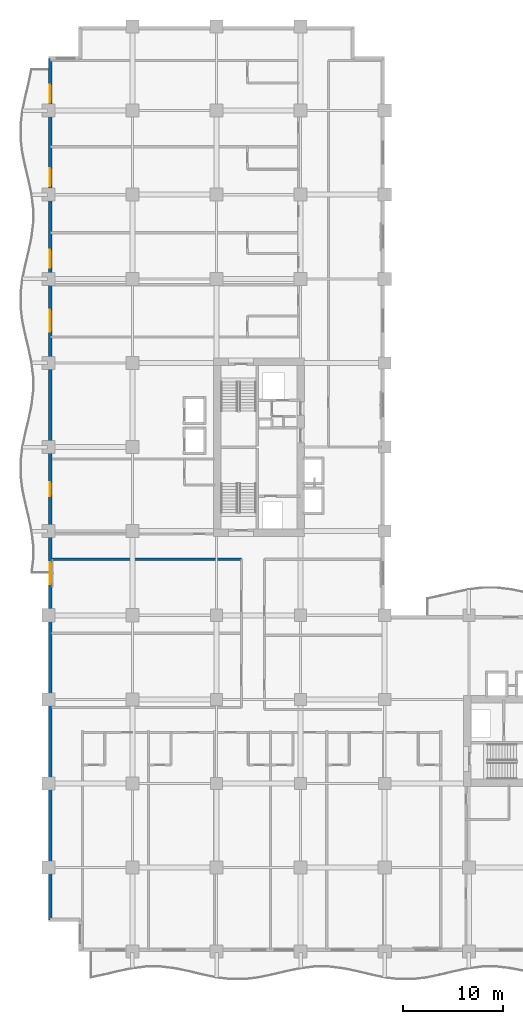
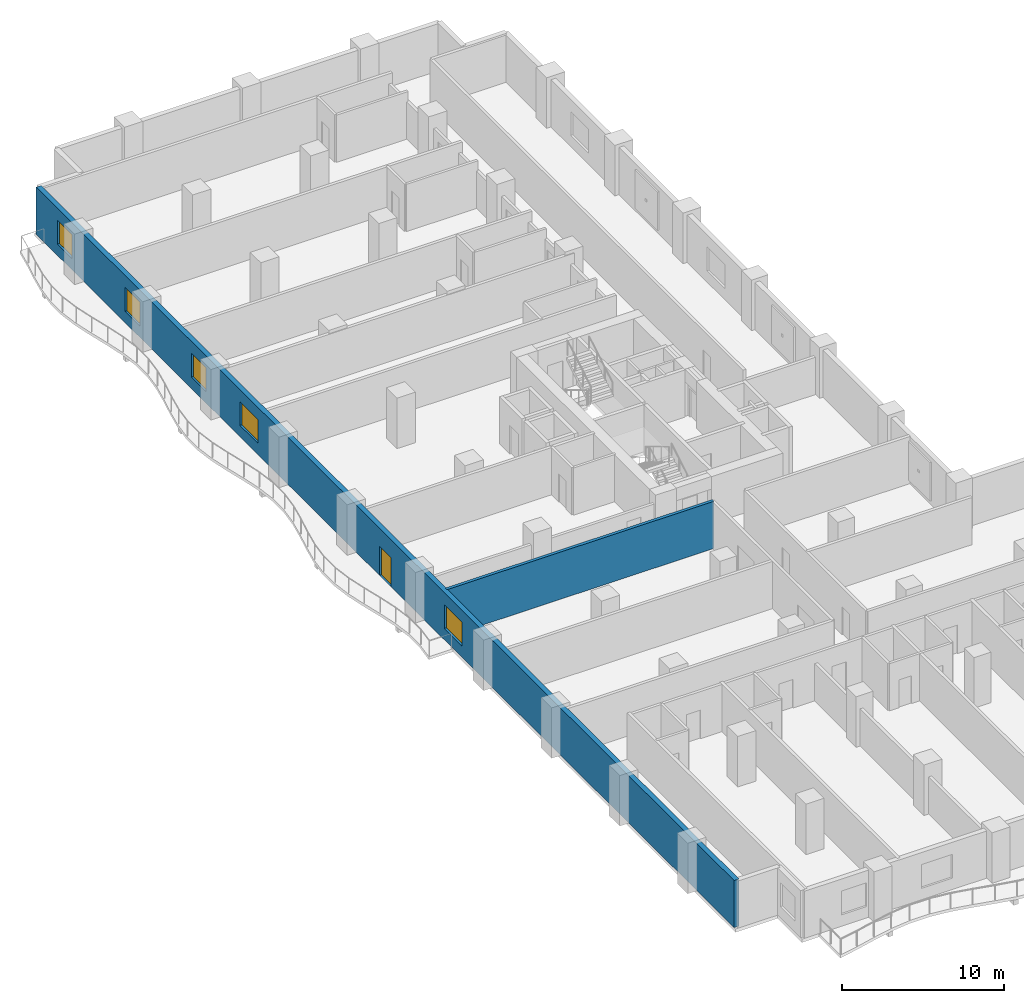
# One storey, part 6 of 17: 5 windows, 2 walls, 1 door, 6 openings.
"""IFC4 building model written with IfcOpenShell, lengths in metres."""

from ifc_helpers import new_model, si_unit, direction, frame, frame_2d, origin, place, context, subcontext, project, spatial, rectangle, extrude, material, layer, layer_set, type_object, element, fill, save


model = new_model("IFC4")

# Units and contexts
model_context = context("Model", 3, precision=1e-05, world=origin(), true_north=direction((0.0, 1.0)))
body_context = subcontext(model_context, "Body", "Model", "MODEL_VIEW")
ifc_project = project(units=[si_unit("LENGTHUNIT", "METRE"), si_unit("AREAUNIT", "SQUARE_METRE"), si_unit("VOLUMEUNIT", "CUBIC_METRE"), si_unit("PLANEANGLEUNIT", "RADIAN"), si_unit("MASSUNIT", "GRAM", prefix="KILO")], contexts=[model_context])

# Site, building, storey
site_placement = place(None, origin())
site = spatial("IfcSite", under=ifc_project, at=site_placement, CompositionType="ELEMENT")
building_placement = place(site_placement, origin())
building = spatial("IfcBuilding", under=site, at=building_placement, Name="Koriwani Terraces Tower", CompositionType="ELEMENT")
storey_placement = place(building_placement, frame((0.0, 0.0, 122.800048828125)))
storey = spatial("IfcBuildingStorey", under=building, at=storey_placement, Name="L29", CompositionType="ELEMENT", Elevation=122.800048828125)

# Wall
ifc_material_1 = material(Name="Autoclaved Cellular Concrete Blockwork", Category="masonry")
ifc_layer_1 = layer(ifc_material_1, 0.219970703125, Name="Autoclaved Cellular Concrete Blockwork")
ifc_layer_set_1 = layer_set([ifc_layer_1], Name="Autoclaved Cellular Concrete Blockwork")
wall_type_1 = type_object("IfcWallType", Name="WALL_DEMISING_220", PredefinedType="PARTITIONING", material=ifc_layer_set_1)
wall_1_placement = place(storey_placement, frame((0.300048828125, 39.199951171875, 0.0), z_axis=(0.0, 0.0, 1.0), x_axis=(1.0, 0.0, 0.0)))
element("IfcWall", 1, at=wall_1_placement, inside=storey, type_object=wall_type_1, Name="L29 Interior Wall WC2NWCLN-L29", PredefinedType="PARTITIONING", context=body_context, shape_type="SweptSolid", body=[
    extrude(rectangle(XDim=19.0, YDim=0.219970703125, at=frame_2d((9.5, 0.0))), origin(), (0.0, 0.0, 1.0), 3.550048828125),
])

# Wall, openings, door, windows
ifc_material_2 = material(Name="Concrete C50/60", Category="concrete")
ifc_layer_2 = layer(ifc_material_2, 0.35009765625, Name="Concrete C50/60")
ifc_layer_set_2 = layer_set([ifc_layer_2], Name="Concrete C50/60")
wall_type_2 = type_object("IfcWallType", Name="WALL_EXT_BRUTALIST_350", PredefinedType="STANDARD", material=ifc_layer_set_2)
wall_2_placement = place(storey_placement, frame((0.175048828125, 3.175048828125, 0.0), z_axis=(0.0, 0.0, 1.0), x_axis=(0.0, 1.0, 0.0)))
wall_2 = element("IfcWall", 2, at=wall_2_placement, inside=storey, type_object=wall_type_2, Name="L29 Fair-Faced Brutalist Exterior Wall (W)", PredefinedType="STANDARD", context=body_context, shape_type="SweptSolid", body=[
    extrude(rectangle(XDim=86.050048828125, YDim=0.35009765625, at=frame_2d((43.02490234375, 0.0))), origin(), (0.0, 0.0, 1.0), 3.550048828125),
])
opening_1_placement = place(wall_2_placement, frame((42.324951171875, 0.0, 0.0)))
opening_1 = element("IfcOpeningElement", 3, at=opening_1_placement, cuts=wall_2, Name="Opening D-09", PredefinedType="OPENING", context=body_context, shape_type="SweptSolid", body=[
    extrude(rectangle(XDim=1.39990234375, YDim=2.199951171875, at=frame_2d((0.699951171875, 1.10009765625))), frame((0.0, 0.18505859375, 0.0), z_axis=(0.0, -1.0, 0.0), x_axis=(1.0, 0.0, 0.0)), (0.0, 0.0, 1.0), 0.3701171875),
])
opening_2_placement = place(wall_2_placement, frame((33.52490234375, 0.0, 0.85009765625)))
opening_2 = element("IfcOpeningElement", 4, at=opening_2_placement, cuts=wall_2, Name="Opening W-01", PredefinedType="OPENING", context=body_context, shape_type="SweptSolid", body=[
    extrude(rectangle(XDim=2.199951171875, YDim=1.800048828125, at=frame_2d((1.10009765625, 0.89990234375))), frame((0.0, 0.18505859375, 0.0), z_axis=(0.0, -1.0, 0.0), x_axis=(1.0, 0.0, 0.0)), (0.0, 0.0, 1.0), 0.3701171875),
])
opening_3_placement = place(wall_2_placement, frame((58.72509765625, 0.0, 0.85009765625)))
opening_3 = element("IfcOpeningElement", 5, at=opening_3_placement, cuts=wall_2, Name="Opening W-01", PredefinedType="OPENING", context=body_context, shape_type="SweptSolid", body=[
    extrude(rectangle(XDim=2.199951171875, YDim=1.800048828125, at=frame_2d((1.10009765625, 0.89990234375))), frame((0.0, 0.18505859375, 0.0), z_axis=(0.0, -1.0, 0.0), x_axis=(1.0, 0.0, 0.0)), (0.0, 0.0, 1.0), 0.3701171875),
])
opening_4_placement = place(wall_2_placement, frame((65.125, 0.0, 0.85009765625)))
opening_4 = element("IfcOpeningElement", 6, at=opening_4_placement, cuts=wall_2, Name="Opening W-04", PredefinedType="OPENING", context=body_context, shape_type="SweptSolid", body=[
    extrude(rectangle(XDim=1.800048828125, YDim=1.800048828125, at=frame_2d((0.89990234375, 0.89990234375))), frame((0.0, 0.18505859375, 0.0), z_axis=(0.0, -1.0, 0.0), x_axis=(1.0, 0.0, 0.0)), (0.0, 0.0, 1.0), 0.3701171875),
])
opening_5_placement = place(wall_2_placement, frame((73.27490234375, 0.0, 0.85009765625)))
opening_5 = element("IfcOpeningElement", 7, at=opening_5_placement, cuts=wall_2, Name="Opening W-04", PredefinedType="OPENING", context=body_context, shape_type="SweptSolid", body=[
    extrude(rectangle(XDim=1.800048828125, YDim=1.800048828125, at=frame_2d((0.89990234375, 0.89990234375))), frame((0.0, 0.18505859375, 0.0), z_axis=(0.0, -1.0, 0.0), x_axis=(1.0, 0.0, 0.0)), (0.0, 0.0, 1.0), 0.3701171875),
])
opening_6_placement = place(wall_2_placement, frame((81.625, 0.0, 0.85009765625)))
opening_6 = element("IfcOpeningElement", 8, at=opening_6_placement, cuts=wall_2, Name="Opening W-04", PredefinedType="OPENING", context=body_context, shape_type="SweptSolid", body=[
    extrude(rectangle(XDim=1.800048828125, YDim=1.800048828125, at=frame_2d((0.89990234375, 0.89990234375))), frame((0.0, 0.18505859375, 0.0), z_axis=(0.0, -1.0, 0.0), x_axis=(1.0, 0.0, 0.0)), (0.0, 0.0, 1.0), 0.3701171875),
])
ifc_material_3 = material(Name="Anodised Bronze Aluminium", Category="aluminium")
door_type = type_object("IfcDoorType", Name="DOOR_BALCONY_GLAZED_1400X2200", OperationType="NOTDEFINED", PredefinedType="DOOR", material=ifc_material_3)
door_placement = place(opening_1_placement, origin())
door = element("IfcDoor", 9, at=door_placement, inside=storey, type_object=door_type, Name="L29 West Balcony Glazed Door", OperationType="SINGLE_SWING_LEFT", OverallHeight=2.199951171875, OverallWidth=1.39990234375, PredefinedType="DOOR", context=body_context, shape_type="SweptSolid", body=[
    extrude(rectangle(XDim=1.39990234375, YDim=2.199951171875, at=frame_2d((0.699951171875, 1.10009765625))), frame((0.0, 0.02490234375, 0.0), z_axis=(0.0, -1.0, 0.0), x_axis=(1.0, 0.0, 0.0)), (0.0, 0.0, 1.0), 0.050048828125),
])
fill(opening_1, door)
ifc_material_4 = material(Name="Tempered Laminated Low-E Glass", Category="glass")
window_type_1 = type_object("IfcWindowType", Name="WIN_HOTEL_STD_2200X1800", PartitioningType="DOUBLE_PANEL_VERTICAL", PredefinedType="WINDOW", material=ifc_material_4)
window_1_placement = place(opening_2_placement, origin())
window_1 = element("IfcWindow", 10, at=window_1_placement, inside=storey, type_object=window_type_1, Name="L29 Exterior Window (W-12)", OverallHeight=1.800048828125, OverallWidth=2.199951171875, PartitioningType="SINGLE_PANEL", PredefinedType="WINDOW", context=body_context, shape_type="SweptSolid", body=[
    extrude(rectangle(XDim=2.199951171875, YDim=1.800048828125, at=frame_2d((1.10009765625, 0.89990234375))), frame((0.0, 0.030029296875, 0.0), z_axis=(0.0, -1.0, 0.0), x_axis=(1.0, 0.0, 0.0)), (0.0, 0.0, 1.0), 0.06005859375),
])
fill(opening_2, window_1)
window_2_placement = place(opening_3_placement, origin())
window_2 = element("IfcWindow", 11, at=window_2_placement, inside=storey, type_object=window_type_1, Name="L29 Exterior Window (W-21)", OverallHeight=1.800048828125, OverallWidth=2.199951171875, PartitioningType="SINGLE_PANEL", PredefinedType="WINDOW", context=body_context, shape_type="SweptSolid", body=[
    extrude(rectangle(XDim=2.199951171875, YDim=1.800048828125, at=frame_2d((1.10009765625, 0.89990234375))), frame((0.0, 0.030029296875, 0.0), z_axis=(0.0, -1.0, 0.0), x_axis=(1.0, 0.0, 0.0)), (0.0, 0.0, 1.0), 0.06005859375),
])
fill(opening_3, window_2)
window_type_2 = type_object("IfcWindowType", Name="WIN_RES_BED_1800X1800", PartitioningType="DOUBLE_PANEL_VERTICAL", PredefinedType="WINDOW", material=ifc_material_4)
window_3_placement = place(opening_4_placement, origin())
window_3 = element("IfcWindow", 12, at=window_3_placement, inside=storey, type_object=window_type_2, Name="L29 Exterior Window (W-R48)", OverallHeight=1.800048828125, OverallWidth=1.800048828125, PartitioningType="SINGLE_PANEL", PredefinedType="WINDOW", context=body_context, shape_type="SweptSolid", body=[
    extrude(rectangle(XDim=1.800048828125, YDim=1.800048828125, at=frame_2d((0.89990234375, 0.89990234375))), frame((0.0, 0.030029296875, 0.0), z_axis=(0.0, -1.0, 0.0), x_axis=(1.0, 0.0, 0.0)), (0.0, 0.0, 1.0), 0.06005859375),
])
fill(opening_4, window_3)
window_4_placement = place(opening_5_placement, origin())
window_4 = element("IfcWindow", 13, at=window_4_placement, inside=storey, type_object=window_type_2, Name="L29 Exterior Window (W-R50)", OverallHeight=1.800048828125, OverallWidth=1.800048828125, PartitioningType="SINGLE_PANEL", PredefinedType="WINDOW", context=body_context, shape_type="SweptSolid", body=[
    extrude(rectangle(XDim=1.800048828125, YDim=1.800048828125, at=frame_2d((0.89990234375, 0.89990234375))), frame((0.0, 0.030029296875, 0.0), z_axis=(0.0, -1.0, 0.0), x_axis=(1.0, 0.0, 0.0)), (0.0, 0.0, 1.0), 0.06005859375),
])
fill(opening_5, window_4)
window_5_placement = place(opening_6_placement, origin())
window_5 = element("IfcWindow", 14, at=window_5_placement, inside=storey, type_object=window_type_2, Name="L29 Exterior Window (W-R52)", OverallHeight=1.800048828125, OverallWidth=1.800048828125, PartitioningType="SINGLE_PANEL", PredefinedType="WINDOW", context=body_context, shape_type="SweptSolid", body=[
    extrude(rectangle(XDim=1.800048828125, YDim=1.800048828125, at=frame_2d((0.89990234375, 0.89990234375))), frame((0.0, 0.030029296875, 0.0), z_axis=(0.0, -1.0, 0.0), x_axis=(1.0, 0.0, 0.0)), (0.0, 0.0, 1.0), 0.06005859375),
])
fill(opening_6, window_5)

save(model, "model.ifc")
